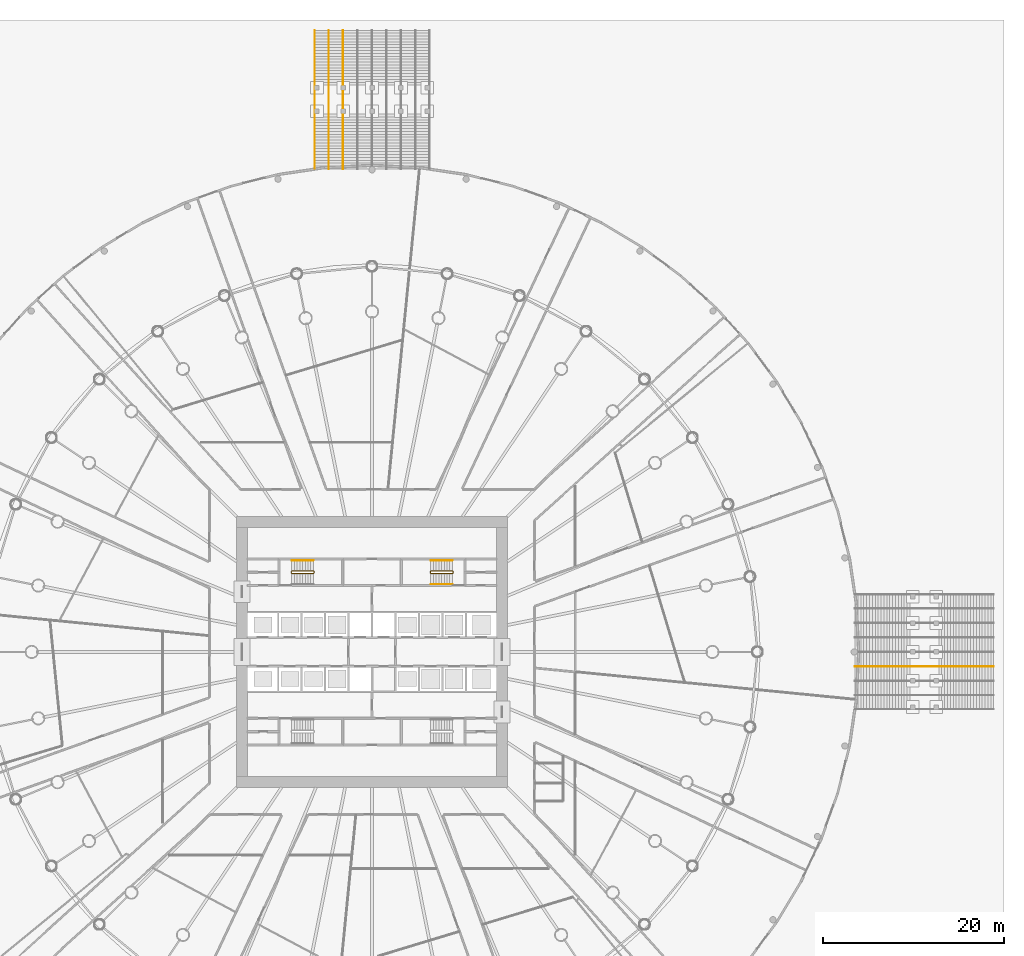
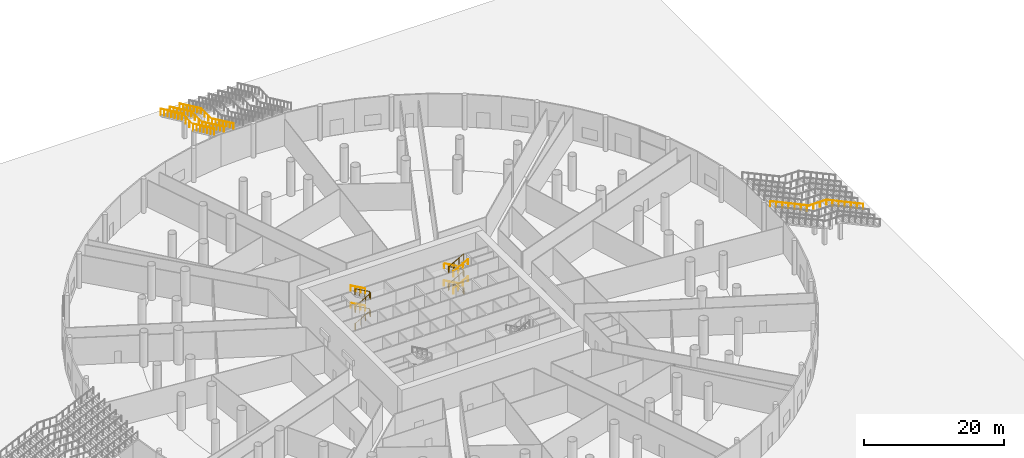
# One storey, part 30 of 33: 12 railings.
"""IFC4 building model written with IfcOpenShell, lengths in metres."""

from ifc_helpers import new_model, si_unit, direction, frame, origin, origin_2d, place, context, subcontext, project, spatial, circle, extrude, material, type_object, element, save


model = new_model("IFC4")

# Units and contexts
model_context = context("Model", 3, precision=1e-05, world=origin(), true_north=direction((0.0, 1.0)))
body_context = subcontext(model_context, "Body", "Model", "MODEL_VIEW")
ifc_project = project(units=[si_unit("LENGTHUNIT", "METRE"), si_unit("AREAUNIT", "SQUARE_METRE"), si_unit("VOLUMEUNIT", "CUBIC_METRE"), si_unit("PLANEANGLEUNIT", "RADIAN"), si_unit("MASSUNIT", "GRAM", prefix="KILO")], contexts=[model_context])

# Site, building, storey
site_placement = place(None, origin())
site = spatial("IfcSite", under=ifc_project, at=site_placement, CompositionType="ELEMENT")
building_placement = place(site_placement, origin())
building = spatial("IfcBuilding", under=site, at=building_placement, Name="Corvane Civic Tower", CompositionType="ELEMENT")
storey_placement = place(building_placement, origin())
storey = spatial("IfcBuildingStorey", under=building, at=storey_placement, Name="G", CompositionType="ELEMENT", Elevation=0.0)

# Railings
ifc_material_1 = material(Name="Steel ASTM A572 Gr 50", Category="steel")
railing_type_1 = type_object("IfcRailingType", Name="PODIUM-RL-GUARD-1100", PredefinedType="GUARDRAIL", material=ifc_material_1)
railing_1_placement = place(storey_placement, frame((-6.35009765625, 68.860107421875, 0.14990234375)))
element("IfcRailing", 1, at=railing_1_placement, inside=storey, type_object=railing_type_1, Name="North stair right guard", PredefinedType="GUARDRAIL", context=body_context, shape_type="SweptSolid", body=[
    extrude(circle(Radius=0.02392578125, at=origin_2d()), frame((0.0, 0.0, 1.076171875), z_axis=(0.0, -0.905455442782, 0.424441328262), x_axis=(1.0, 0.0, 0.0)), (0.0, 0.0, 1.0), 6.71484375),
    extrude(circle(Radius=0.02392578125, at=origin_2d()), frame((0.0, -6.080078125, 3.92626953125), z_axis=(0.0, -1.0, 0.0), x_axis=(1.0, 0.0, 0.0)), (0.0, 0.0, 1.0), 3.199951171875),
    extrude(circle(Radius=0.02392578125, at=origin_2d()), frame((0.0, -9.280029296875, 3.92626953125), z_axis=(0.0, 0.0, 1.0), x_axis=(1.0, 0.0, 0.0)), (0.0, 0.0, 1.0), 0.14990234375),
    extrude(circle(Radius=0.02392578125, at=origin_2d()), frame((0.0, -9.280029296875, 4.076171875), z_axis=(0.0, -0.905454092966, 0.424444207796), x_axis=(1.0, 0.0, 0.0)), (0.0, 0.0, 1.0), 6.65966796875),
    extrude(circle(Radius=0.02099609375, at=origin_2d()), origin(), (0.0, 0.0, 1.0), 1.052001953125),
    extrude(circle(Radius=0.02099609375, at=origin_2d()), frame((0.0, -1.013427734375, 0.47509765625)), (0.0, 0.0, 1.0), 1.052001953125),
    extrude(circle(Radius=0.02099609375, at=origin_2d()), frame((0.0, -2.026611328125, 0.949951171875)), (0.0, 0.0, 1.0), 1.052001953125),
    extrude(circle(Radius=0.02099609375, at=origin_2d()), frame((0.0, -3.0400390625, 1.425048828125)), (0.0, 0.0, 1.0), 1.052001953125),
    extrude(circle(Radius=0.02099609375, at=origin_2d()), frame((0.0, -4.053466796875, 1.900146484375)), (0.0, 0.0, 1.0), 1.052001953125),
    extrude(circle(Radius=0.02099609375, at=origin_2d()), frame((0.0, -5.066650390625, 2.375)), (0.0, 0.0, 1.0), 1.052001953125),
    extrude(circle(Radius=0.02099609375, at=origin_2d()), frame((0.0, -6.080078125, 2.85009765625)), (0.0, 0.0, 1.0), 1.052001953125),
    extrude(circle(Radius=0.02099609375, at=origin_2d()), frame((0.0, -7.146728515625, 2.85009765625)), (0.0, 0.0, 1.0), 1.052001953125),
    extrude(circle(Radius=0.02099609375, at=origin_2d()), frame((0.0, -8.21337890625, 2.85009765625)), (0.0, 0.0, 1.0), 1.052001953125),
    extrude(circle(Radius=0.02099609375, at=origin_2d()), frame((0.0, -9.280029296875, 2.85009765625)), (0.0, 0.0, 1.0), 1.052001953125),
    extrude(circle(Radius=0.02099609375, at=origin_2d()), frame((0.0, -9.280029296875, 3.0)), (0.0, 0.0, 1.0), 1.052001953125),
    extrude(circle(Radius=0.02099609375, at=origin_2d()), frame((0.0, -10.28515625, 3.47119140625)), (0.0, 0.0, 1.0), 1.052001953125),
    extrude(circle(Radius=0.02099609375, at=origin_2d()), frame((0.0, -11.2900390625, 3.942138671875)), (0.0, 0.0, 1.0), 1.052001953125),
    extrude(circle(Radius=0.02099609375, at=origin_2d()), frame((0.0, -12.294921875, 4.413330078125)), (0.0, 0.0, 1.0), 1.052001953125),
    extrude(circle(Radius=0.02099609375, at=origin_2d()), frame((0.0, -13.300048828125, 4.884521484375)), (0.0, 0.0, 1.0), 1.052001953125),
    extrude(circle(Radius=0.02099609375, at=origin_2d()), frame((0.0, -14.30517578125, 5.35546875)), (0.0, 0.0, 1.0), 1.052001953125),
    extrude(circle(Radius=0.02099609375, at=origin_2d()), frame((0.0, -15.31005859375, 5.82666015625)), (0.0, 0.0, 1.0), 1.052001953125),
])
ifc_material_2 = material(Name="Steel ASTM A572 Gr 50", Category="steel")
railing_type_2 = type_object("IfcRailingType", Name="PODIUM-RL-HANDRAIL-900", PredefinedType="HANDRAIL", material=ifc_material_2)
railing_2_placement = place(storey_placement, frame((-3.199951171875, 68.860107421875, 0.14990234375)))
element("IfcRailing", 2, at=railing_2_placement, inside=storey, type_object=railing_type_2, Name="North stair handrail 6", PredefinedType="HANDRAIL", context=body_context, shape_type="SweptSolid", body=[
    extrude(circle(Radius=0.02392578125, at=origin_2d()), frame((0.0, 0.0, 0.8759765625), z_axis=(0.0, -0.905455442782, 0.424441328262), x_axis=(1.0, 0.0, 0.0)), (0.0, 0.0, 1.0), 6.71484375),
    extrude(circle(Radius=0.02392578125, at=origin_2d()), frame((0.0, -6.080078125, 3.72607421875), z_axis=(0.0, -1.0, 0.0), x_axis=(1.0, 0.0, 0.0)), (0.0, 0.0, 1.0), 3.199951171875),
    extrude(circle(Radius=0.02392578125, at=origin_2d()), frame((0.0, -9.280029296875, 3.72607421875), z_axis=(0.0, 0.0, 1.0), x_axis=(1.0, 0.0, 0.0)), (0.0, 0.0, 1.0), 0.14990234375),
    extrude(circle(Radius=0.02392578125, at=origin_2d()), frame((0.0, -9.280029296875, 3.8759765625), z_axis=(0.0, -0.905455442782, 0.424441328262), x_axis=(1.0, 0.0, 0.0)), (0.0, 0.0, 1.0), 6.71484375),
    extrude(circle(Radius=0.02099609375, at=origin_2d()), origin(), (0.0, 0.0, 1.0), 0.851806640625),
    extrude(circle(Radius=0.02099609375, at=origin_2d()), frame((0.0, -1.013427734375, 0.47509765625)), (0.0, 0.0, 1.0), 0.851806640625),
    extrude(circle(Radius=0.02099609375, at=origin_2d()), frame((0.0, -2.026611328125, 0.949951171875)), (0.0, 0.0, 1.0), 0.851806640625),
    extrude(circle(Radius=0.02099609375, at=origin_2d()), frame((0.0, -3.0400390625, 1.425048828125)), (0.0, 0.0, 1.0), 0.851806640625),
    extrude(circle(Radius=0.02099609375, at=origin_2d()), frame((0.0, -4.053466796875, 1.900146484375)), (0.0, 0.0, 1.0), 0.851806640625),
    extrude(circle(Radius=0.02099609375, at=origin_2d()), frame((0.0, -5.066650390625, 2.375)), (0.0, 0.0, 1.0), 0.851806640625),
    extrude(circle(Radius=0.02099609375, at=origin_2d()), frame((0.0, -6.080078125, 2.85009765625)), (0.0, 0.0, 1.0), 0.851806640625),
    extrude(circle(Radius=0.02099609375, at=origin_2d()), frame((0.0, -7.146728515625, 2.85009765625)), (0.0, 0.0, 1.0), 0.851806640625),
    extrude(circle(Radius=0.02099609375, at=origin_2d()), frame((0.0, -8.21337890625, 2.85009765625)), (0.0, 0.0, 1.0), 0.851806640625),
    extrude(circle(Radius=0.02099609375, at=origin_2d()), frame((0.0, -9.280029296875, 2.85009765625)), (0.0, 0.0, 1.0), 0.851806640625),
    extrude(circle(Radius=0.02099609375, at=origin_2d()), frame((0.0, -9.280029296875, 3.0)), (0.0, 0.0, 1.0), 0.851806640625),
    extrude(circle(Radius=0.02099609375, at=origin_2d()), frame((0.0, -10.29345703125, 3.47509765625)), (0.0, 0.0, 1.0), 0.851806640625),
    extrude(circle(Radius=0.02099609375, at=origin_2d()), frame((0.0, -11.306640625, 3.949951171875)), (0.0, 0.0, 1.0), 0.851806640625),
    extrude(circle(Radius=0.02099609375, at=origin_2d()), frame((0.0, -12.320068359375, 4.425048828125)), (0.0, 0.0, 1.0), 0.851806640625),
    extrude(circle(Radius=0.02099609375, at=origin_2d()), frame((0.0, -13.33349609375, 4.900146484375)), (0.0, 0.0, 1.0), 0.851806640625),
    extrude(circle(Radius=0.02099609375, at=origin_2d()), frame((0.0, -14.3466796875, 5.375)), (0.0, 0.0, 1.0), 0.851806640625),
    extrude(circle(Radius=0.02099609375, at=origin_2d()), frame((0.0, -15.360107421875, 5.85009765625)), (0.0, 0.0, 1.0), 0.851806640625),
])
railing_3_placement = place(storey_placement, frame((-4.800048828125, 68.860107421875, 0.14990234375)))
element("IfcRailing", 3, at=railing_3_placement, inside=storey, type_object=railing_type_2, Name="North stair handrail 7", PredefinedType="HANDRAIL", context=body_context, shape_type="SweptSolid", body=[
    extrude(circle(Radius=0.02392578125, at=origin_2d()), frame((0.0, 0.0, 0.8759765625), z_axis=(0.0, -0.905455442782, 0.424441328262), x_axis=(1.0, 0.0, 0.0)), (0.0, 0.0, 1.0), 6.71484375),
    extrude(circle(Radius=0.02392578125, at=origin_2d()), frame((0.0, -6.080078125, 3.72607421875), z_axis=(0.0, -1.0, 0.0), x_axis=(1.0, 0.0, 0.0)), (0.0, 0.0, 1.0), 3.199951171875),
    extrude(circle(Radius=0.02392578125, at=origin_2d()), frame((0.0, -9.280029296875, 3.72607421875), z_axis=(0.0, 0.0, 1.0), x_axis=(1.0, 0.0, 0.0)), (0.0, 0.0, 1.0), 0.14990234375),
    extrude(circle(Radius=0.02392578125, at=origin_2d()), frame((0.0, -9.280029296875, 3.8759765625), z_axis=(0.0, -0.905455442782, 0.424441328262), x_axis=(1.0, 0.0, 0.0)), (0.0, 0.0, 1.0), 6.71484375),
    extrude(circle(Radius=0.02099609375, at=origin_2d()), origin(), (0.0, 0.0, 1.0), 0.851806640625),
    extrude(circle(Radius=0.02099609375, at=origin_2d()), frame((0.0, -1.013427734375, 0.47509765625)), (0.0, 0.0, 1.0), 0.851806640625),
    extrude(circle(Radius=0.02099609375, at=origin_2d()), frame((0.0, -2.026611328125, 0.949951171875)), (0.0, 0.0, 1.0), 0.851806640625),
    extrude(circle(Radius=0.02099609375, at=origin_2d()), frame((0.0, -3.0400390625, 1.425048828125)), (0.0, 0.0, 1.0), 0.851806640625),
    extrude(circle(Radius=0.02099609375, at=origin_2d()), frame((0.0, -4.053466796875, 1.900146484375)), (0.0, 0.0, 1.0), 0.851806640625),
    extrude(circle(Radius=0.02099609375, at=origin_2d()), frame((0.0, -5.066650390625, 2.375)), (0.0, 0.0, 1.0), 0.851806640625),
    extrude(circle(Radius=0.02099609375, at=origin_2d()), frame((0.0, -6.080078125, 2.85009765625)), (0.0, 0.0, 1.0), 0.851806640625),
    extrude(circle(Radius=0.02099609375, at=origin_2d()), frame((0.0, -7.146728515625, 2.85009765625)), (0.0, 0.0, 1.0), 0.851806640625),
    extrude(circle(Radius=0.02099609375, at=origin_2d()), frame((0.0, -8.21337890625, 2.85009765625)), (0.0, 0.0, 1.0), 0.851806640625),
    extrude(circle(Radius=0.02099609375, at=origin_2d()), frame((0.0, -9.280029296875, 2.85009765625)), (0.0, 0.0, 1.0), 0.851806640625),
    extrude(circle(Radius=0.02099609375, at=origin_2d()), frame((0.0, -9.280029296875, 3.0)), (0.0, 0.0, 1.0), 0.851806640625),
    extrude(circle(Radius=0.02099609375, at=origin_2d()), frame((0.0, -10.29345703125, 3.47509765625)), (0.0, 0.0, 1.0), 0.851806640625),
    extrude(circle(Radius=0.02099609375, at=origin_2d()), frame((0.0, -11.306640625, 3.949951171875)), (0.0, 0.0, 1.0), 0.851806640625),
    extrude(circle(Radius=0.02099609375, at=origin_2d()), frame((0.0, -12.320068359375, 4.425048828125)), (0.0, 0.0, 1.0), 0.851806640625),
    extrude(circle(Radius=0.02099609375, at=origin_2d()), frame((0.0, -13.33349609375, 4.900146484375)), (0.0, 0.0, 1.0), 0.851806640625),
    extrude(circle(Radius=0.02099609375, at=origin_2d()), frame((0.0, -14.3466796875, 5.375)), (0.0, 0.0, 1.0), 0.851806640625),
    extrude(circle(Radius=0.02099609375, at=origin_2d()), frame((0.0, -15.360107421875, 5.85009765625)), (0.0, 0.0, 1.0), 0.851806640625),
])
railing_4_placement = place(storey_placement, frame((68.860107421875, -1.60009765625, 0.14990234375)))
element("IfcRailing", 4, at=railing_4_placement, inside=storey, type_object=railing_type_2, Name="East stair handrail 3", PredefinedType="HANDRAIL", context=body_context, shape_type="SweptSolid", body=[
    extrude(circle(Radius=0.02392578125, at=origin_2d()), frame((0.0, 0.0, 0.8759765625), z_axis=(-0.905455442782, 0.0, 0.424441328262), x_axis=(0.0, -1.0, 0.0)), (0.0, 0.0, 1.0), 6.71484375),
    extrude(circle(Radius=0.02392578125, at=origin_2d()), frame((-6.080078125, 0.0, 3.72607421875), z_axis=(-1.0, 0.0, 0.0), x_axis=(0.0, -1.0, 0.0)), (0.0, 0.0, 1.0), 3.199951171875),
    extrude(circle(Radius=0.02392578125, at=origin_2d()), frame((-9.280029296875, 0.0, 3.72607421875), z_axis=(0.0, 0.0, 1.0), x_axis=(1.0, 0.0, 0.0)), (0.0, 0.0, 1.0), 0.14990234375),
    extrude(circle(Radius=0.02392578125, at=origin_2d()), frame((-9.280029296875, 0.0, 3.8759765625), z_axis=(-0.905455442782, 0.0, 0.424441328262), x_axis=(0.0, -1.0, 0.0)), (0.0, 0.0, 1.0), 6.71484375),
    extrude(circle(Radius=0.02099609375, at=origin_2d()), origin(), (0.0, 0.0, 1.0), 0.851806640625),
    extrude(circle(Radius=0.02099609375, at=origin_2d()), frame((-1.013427734375, 0.0, 0.47509765625)), (0.0, 0.0, 1.0), 0.851806640625),
    extrude(circle(Radius=0.02099609375, at=origin_2d()), frame((-2.026611328125, 0.0, 0.949951171875)), (0.0, 0.0, 1.0), 0.851806640625),
    extrude(circle(Radius=0.02099609375, at=origin_2d()), frame((-3.0400390625, 0.0, 1.425048828125)), (0.0, 0.0, 1.0), 0.851806640625),
    extrude(circle(Radius=0.02099609375, at=origin_2d()), frame((-4.053466796875, 0.0, 1.900146484375)), (0.0, 0.0, 1.0), 0.851806640625),
    extrude(circle(Radius=0.02099609375, at=origin_2d()), frame((-5.066650390625, 0.0, 2.375)), (0.0, 0.0, 1.0), 0.851806640625),
    extrude(circle(Radius=0.02099609375, at=origin_2d()), frame((-6.080078125, 0.0, 2.85009765625)), (0.0, 0.0, 1.0), 0.851806640625),
    extrude(circle(Radius=0.02099609375, at=origin_2d()), frame((-7.146728515625, 0.0, 2.85009765625)), (0.0, 0.0, 1.0), 0.851806640625),
    extrude(circle(Radius=0.02099609375, at=origin_2d()), frame((-8.21337890625, 0.0, 2.85009765625)), (0.0, 0.0, 1.0), 0.851806640625),
    extrude(circle(Radius=0.02099609375, at=origin_2d()), frame((-9.280029296875, 0.0, 2.85009765625)), (0.0, 0.0, 1.0), 0.851806640625),
    extrude(circle(Radius=0.02099609375, at=origin_2d()), frame((-9.280029296875, 0.0, 3.0)), (0.0, 0.0, 1.0), 0.851806640625),
    extrude(circle(Radius=0.02099609375, at=origin_2d()), frame((-10.29345703125, 0.0, 3.47509765625)), (0.0, 0.0, 1.0), 0.851806640625),
    extrude(circle(Radius=0.02099609375, at=origin_2d()), frame((-11.306640625, 0.0, 3.949951171875)), (0.0, 0.0, 1.0), 0.851806640625),
    extrude(circle(Radius=0.02099609375, at=origin_2d()), frame((-12.320068359375, 0.0, 4.425048828125)), (0.0, 0.0, 1.0), 0.851806640625),
    extrude(circle(Radius=0.02099609375, at=origin_2d()), frame((-13.33349609375, 0.0, 4.900146484375)), (0.0, 0.0, 1.0), 0.851806640625),
    extrude(circle(Radius=0.02099609375, at=origin_2d()), frame((-14.3466796875, 0.0, 5.375)), (0.0, 0.0, 1.0), 0.851806640625),
    extrude(circle(Radius=0.02099609375, at=origin_2d()), frame((-15.360107421875, 0.0, 5.85009765625)), (0.0, 0.0, 1.0), 0.851806640625),
])
ifc_material_3 = material(Name="Steel ASTM A572 Gr 50", Category="steel")
railing_type_3 = type_object("IfcRailingType", Name="ST-GUARD-1100", PredefinedType="GUARDRAIL", material=ifc_material_3)
railing_5_placement = place(storey_placement, frame((8.949951171875, 8.75, 0.0)))
element("IfcRailing", 5, at=railing_5_placement, inside=storey, type_object=railing_type_3, Name="G ST1 stair guard 1", PredefinedType="GUARDRAIL", context=body_context, shape_type="SweptSolid", body=[
    extrude(circle(Radius=0.02392578125, at=origin_2d()), frame((0.0, 0.0, 1.076171875), z_axis=(0.0, 1.0, 0.0), x_axis=(-1.0, 0.0, 0.0)), (0.0, 0.0, 1.0), 0.14990234375),
    extrude(circle(Radius=0.02392578125, at=origin_2d()), frame((0.0, 0.14990234375, 1.076171875), z_axis=(-0.27628659633, 0.27628659633, 0.920506074601), x_axis=(-0.707106781187, -0.707106781187, 0.0)), (0.0, 0.0, 1.0), 0.18115234375),
    extrude(circle(Radius=0.02392578125, at=origin_2d()), frame((-0.050048828125, 0.199951171875, 1.24267578125), z_axis=(-0.874161470802, 0.0, 0.485635380677), x_axis=(0.0, -1.0, 0.0)), (0.0, 0.0, 1.0), 2.745361328125),
    extrude(circle(Radius=0.02392578125, at=origin_2d()), frame((-2.449951171875, 0.199951171875, 2.576171875), z_axis=(-0.707106781187, -0.707106781187, 0.0), x_axis=(0.707106781187, -0.707106781187, 0.0)), (0.0, 0.0, 1.0), 0.07080078125),
    extrude(circle(Radius=0.02392578125, at=origin_2d()), frame((-2.5, 0.14990234375, 2.576171875), z_axis=(0.0, -1.0, 0.0), x_axis=(1.0, 0.0, 0.0)), (0.0, 0.0, 1.0), 0.14990234375),
    extrude(circle(Radius=0.02392578125, at=origin_2d()), frame((-2.5, 0.0, 2.576171875), z_axis=(0.27628659633, -0.27628659633, 0.920506074601), x_axis=(0.707106781187, 0.707106781187, 0.0)), (0.0, 0.0, 1.0), 0.18115234375),
    extrude(circle(Radius=0.02392578125, at=origin_2d()), frame((-2.449951171875, -0.050048828125, 2.74267578125), z_axis=(0.874161470802, 0.0, 0.485635380677), x_axis=(0.0, 1.0, 0.0)), (0.0, 0.0, 1.0), 2.745361328125),
    extrude(circle(Radius=0.02392578125, at=origin_2d()), frame((-0.050048828125, -0.050048828125, 4.076171875), z_axis=(0.707106781187, 0.707106781187, 0.0), x_axis=(-0.707106781187, 0.707106781187, 0.0)), (0.0, 0.0, 1.0), 0.07080078125),
    extrude(circle(Radius=0.02392578125, at=origin_2d()), frame((0.0, 0.0, 4.076171875), z_axis=(0.0, 1.0, 0.0), x_axis=(-1.0, 0.0, 0.0)), (0.0, 0.0, 1.0), 0.14990234375),
    extrude(circle(Radius=0.02392578125, at=origin_2d()), frame((0.0, 0.14990234375, 4.076171875), z_axis=(-0.27628659633, 0.27628659633, 0.920506074601), x_axis=(-0.707106781187, -0.707106781187, 0.0)), (0.0, 0.0, 1.0), 0.18115234375),
    extrude(circle(Radius=0.02392578125, at=origin_2d()), frame((-0.050048828125, 0.199951171875, 4.24267578125), z_axis=(-0.874161470802, 0.0, 0.485635380677), x_axis=(0.0, -1.0, 0.0)), (0.0, 0.0, 1.0), 2.745361328125),
    extrude(circle(Radius=0.02392578125, at=origin_2d()), frame((-2.449951171875, 0.199951171875, 5.576171875), z_axis=(-0.707106781187, -0.707106781187, 0.0), x_axis=(0.707106781187, -0.707106781187, 0.0)), (0.0, 0.0, 1.0), 0.07080078125),
    extrude(circle(Radius=0.02392578125, at=origin_2d()), frame((-2.5, 0.14990234375, 5.576171875), z_axis=(0.0, -1.0, 0.0), x_axis=(1.0, 0.0, 0.0)), (0.0, 0.0, 1.0), 0.14990234375),
    extrude(circle(Radius=0.02392578125, at=origin_2d()), frame((-2.5, 0.0, 5.576171875), z_axis=(0.27628659633, -0.27628659633, 0.920506074601), x_axis=(0.707106781187, 0.707106781187, 0.0)), (0.0, 0.0, 1.0), 0.18115234375),
    extrude(circle(Radius=0.02392578125, at=origin_2d()), frame((-2.449951171875, -0.050048828125, 5.74267578125), z_axis=(0.874161470802, 0.0, 0.485635380677), x_axis=(0.0, 1.0, 0.0)), (0.0, 0.0, 1.0), 2.745361328125),
    extrude(circle(Radius=0.02099609375, at=origin_2d()), origin(), (0.0, 0.0, 1.0), 1.052001953125),
    extrude(circle(Radius=0.02099609375, at=origin_2d()), frame((0.0, 0.14990234375, 0.0)), (0.0, 0.0, 1.0), 1.052001953125),
    extrude(circle(Radius=0.02099609375, at=origin_2d()), frame((-0.050048828125, 0.199951171875, 0.166748046875)), (0.0, 0.0, 1.0), 1.052001953125),
    extrude(circle(Radius=0.02099609375, at=origin_2d()), frame((-0.85009765625, 0.199951171875, 0.611083984375)), (0.0, 0.0, 1.0), 1.052001953125),
    extrude(circle(Radius=0.02099609375, at=origin_2d()), frame((-1.64990234375, 0.199951171875, 1.0556640625)), (0.0, 0.0, 1.0), 1.052001953125),
    extrude(circle(Radius=0.02099609375, at=origin_2d()), frame((-2.449951171875, 0.199951171875, 1.5)), (0.0, 0.0, 1.0), 1.052001953125),
    extrude(circle(Radius=0.02099609375, at=origin_2d()), frame((-2.5, 0.14990234375, 1.5)), (0.0, 0.0, 1.0), 1.052001953125),
    extrude(circle(Radius=0.02099609375, at=origin_2d()), frame((-2.5, 0.0, 1.5)), (0.0, 0.0, 1.0), 1.052001953125),
    extrude(circle(Radius=0.02099609375, at=origin_2d()), frame((-2.449951171875, -0.050048828125, 1.666748046875)), (0.0, 0.0, 1.0), 1.052001953125),
    extrude(circle(Radius=0.02099609375, at=origin_2d()), frame((-1.64990234375, -0.050048828125, 2.111083984375)), (0.0, 0.0, 1.0), 1.052001953125),
    extrude(circle(Radius=0.02099609375, at=origin_2d()), frame((-0.85009765625, -0.050048828125, 2.5556640625)), (0.0, 0.0, 1.0), 1.052001953125),
    extrude(circle(Radius=0.02099609375, at=origin_2d()), frame((-0.050048828125, -0.050048828125, 3.0)), (0.0, 0.0, 1.0), 1.052001953125),
    extrude(circle(Radius=0.02099609375, at=origin_2d()), frame((0.0, 0.0, 3.0)), (0.0, 0.0, 1.0), 1.052001953125),
    extrude(circle(Radius=0.02099609375, at=origin_2d()), frame((0.0, 0.14990234375, 3.0)), (0.0, 0.0, 1.0), 1.052001953125),
    extrude(circle(Radius=0.02099609375, at=origin_2d()), frame((-0.050048828125, 0.199951171875, 3.166748046875)), (0.0, 0.0, 1.0), 1.052001953125),
    extrude(circle(Radius=0.02099609375, at=origin_2d()), frame((-0.85009765625, 0.199951171875, 3.611083984375)), (0.0, 0.0, 1.0), 1.052001953125),
    extrude(circle(Radius=0.02099609375, at=origin_2d()), frame((-1.64990234375, 0.199951171875, 4.0556640625)), (0.0, 0.0, 1.0), 1.052001953125),
    extrude(circle(Radius=0.02099609375, at=origin_2d()), frame((-2.449951171875, 0.199951171875, 4.5)), (0.0, 0.0, 1.0), 1.052001953125),
    extrude(circle(Radius=0.02099609375, at=origin_2d()), frame((-2.5, 0.14990234375, 4.5)), (0.0, 0.0, 1.0), 1.052001953125),
    extrude(circle(Radius=0.02099609375, at=origin_2d()), frame((-2.5, 0.0, 4.5)), (0.0, 0.0, 1.0), 1.052001953125),
    extrude(circle(Radius=0.02099609375, at=origin_2d()), frame((-2.449951171875, -0.050048828125, 4.666748046875)), (0.0, 0.0, 1.0), 1.052001953125),
    extrude(circle(Radius=0.02099609375, at=origin_2d()), frame((-1.64990234375, -0.050048828125, 5.111083984375)), (0.0, 0.0, 1.0), 1.052001953125),
    extrude(circle(Radius=0.02099609375, at=origin_2d()), frame((-0.85009765625, -0.050048828125, 5.5556640625)), (0.0, 0.0, 1.0), 1.052001953125),
    extrude(circle(Radius=0.02099609375, at=origin_2d()), frame((-0.050048828125, -0.050048828125, 6.0)), (0.0, 0.0, 1.0), 1.052001953125),
])
railing_6_placement = place(storey_placement, frame((-8.949951171875, 8.89990234375, 0.0)))
element("IfcRailing", 6, at=railing_6_placement, inside=storey, type_object=railing_type_3, Name="G ST4 stair guard 1", PredefinedType="GUARDRAIL", context=body_context, shape_type="SweptSolid", body=[
    extrude(circle(Radius=0.02392578125, at=origin_2d()), frame((0.0, 0.0, 1.076171875), z_axis=(0.0, -1.0, 0.0), x_axis=(1.0, 0.0, 0.0)), (0.0, 0.0, 1.0), 0.14990234375),
    extrude(circle(Radius=0.02392578125, at=origin_2d()), frame((0.0, -0.14990234375, 1.076171875), z_axis=(0.27628659633, -0.27628659633, 0.920506074601), x_axis=(0.707106781187, 0.707106781187, 0.0)), (0.0, 0.0, 1.0), 0.18115234375),
    extrude(circle(Radius=0.02392578125, at=origin_2d()), frame((0.050048828125, -0.199951171875, 1.24267578125), z_axis=(0.874161470802, 0.0, 0.485635380677), x_axis=(0.0, 1.0, 0.0)), (0.0, 0.0, 1.0), 2.745361328125),
    extrude(circle(Radius=0.02392578125, at=origin_2d()), frame((2.449951171875, -0.199951171875, 2.576171875), z_axis=(0.707106781187, 0.707106781187, 0.0), x_axis=(-0.707106781187, 0.707106781187, 0.0)), (0.0, 0.0, 1.0), 0.07080078125),
    extrude(circle(Radius=0.02392578125, at=origin_2d()), frame((2.5, -0.14990234375, 2.576171875), z_axis=(0.0, 1.0, 0.0), x_axis=(-1.0, 0.0, 0.0)), (0.0, 0.0, 1.0), 0.14990234375),
    extrude(circle(Radius=0.02392578125, at=origin_2d()), frame((2.5, 0.0, 2.576171875), z_axis=(-0.27628659633, 0.27628659633, 0.920506074601), x_axis=(-0.707106781187, -0.707106781187, 0.0)), (0.0, 0.0, 1.0), 0.18115234375),
    extrude(circle(Radius=0.02392578125, at=origin_2d()), frame((2.449951171875, 0.050048828125, 2.74267578125), z_axis=(-0.874161470802, 0.0, 0.485635380677), x_axis=(0.0, -1.0, 0.0)), (0.0, 0.0, 1.0), 2.745361328125),
    extrude(circle(Radius=0.02392578125, at=origin_2d()), frame((0.050048828125, 0.050048828125, 4.076171875), z_axis=(-0.707106781187, -0.707106781187, 0.0), x_axis=(0.707106781187, -0.707106781187, 0.0)), (0.0, 0.0, 1.0), 0.07080078125),
    extrude(circle(Radius=0.02392578125, at=origin_2d()), frame((0.0, 0.0, 4.076171875), z_axis=(0.0, -1.0, 0.0), x_axis=(1.0, 0.0, 0.0)), (0.0, 0.0, 1.0), 0.14990234375),
    extrude(circle(Radius=0.02392578125, at=origin_2d()), frame((0.0, -0.14990234375, 4.076171875), z_axis=(0.27628659633, -0.27628659633, 0.920506074601), x_axis=(0.707106781187, 0.707106781187, 0.0)), (0.0, 0.0, 1.0), 0.18115234375),
    extrude(circle(Radius=0.02392578125, at=origin_2d()), frame((0.050048828125, -0.199951171875, 4.24267578125), z_axis=(0.874161470802, 0.0, 0.485635380677), x_axis=(0.0, 1.0, 0.0)), (0.0, 0.0, 1.0), 2.745361328125),
    extrude(circle(Radius=0.02392578125, at=origin_2d()), frame((2.449951171875, -0.199951171875, 5.576171875), z_axis=(0.707106781187, 0.707106781187, 0.0), x_axis=(-0.707106781187, 0.707106781187, 0.0)), (0.0, 0.0, 1.0), 0.07080078125),
    extrude(circle(Radius=0.02392578125, at=origin_2d()), frame((2.5, -0.14990234375, 5.576171875), z_axis=(0.0, 1.0, 0.0), x_axis=(-1.0, 0.0, 0.0)), (0.0, 0.0, 1.0), 0.14990234375),
    extrude(circle(Radius=0.02392578125, at=origin_2d()), frame((2.5, 0.0, 5.576171875), z_axis=(-0.27628659633, 0.27628659633, 0.920506074601), x_axis=(-0.707106781187, -0.707106781187, 0.0)), (0.0, 0.0, 1.0), 0.18115234375),
    extrude(circle(Radius=0.02392578125, at=origin_2d()), frame((2.449951171875, 0.050048828125, 5.74267578125), z_axis=(-0.874161470802, 0.0, 0.485635380677), x_axis=(0.0, -1.0, 0.0)), (0.0, 0.0, 1.0), 2.745361328125),
    extrude(circle(Radius=0.02099609375, at=origin_2d()), origin(), (0.0, 0.0, 1.0), 1.052001953125),
    extrude(circle(Radius=0.02099609375, at=origin_2d()), frame((0.0, -0.14990234375, 0.0)), (0.0, 0.0, 1.0), 1.052001953125),
    extrude(circle(Radius=0.02099609375, at=origin_2d()), frame((0.050048828125, -0.199951171875, 0.166748046875)), (0.0, 0.0, 1.0), 1.052001953125),
    extrude(circle(Radius=0.02099609375, at=origin_2d()), frame((0.85009765625, -0.199951171875, 0.611083984375)), (0.0, 0.0, 1.0), 1.052001953125),
    extrude(circle(Radius=0.02099609375, at=origin_2d()), frame((1.64990234375, -0.199951171875, 1.0556640625)), (0.0, 0.0, 1.0), 1.052001953125),
    extrude(circle(Radius=0.02099609375, at=origin_2d()), frame((2.449951171875, -0.199951171875, 1.5)), (0.0, 0.0, 1.0), 1.052001953125),
    extrude(circle(Radius=0.02099609375, at=origin_2d()), frame((2.5, -0.14990234375, 1.5)), (0.0, 0.0, 1.0), 1.052001953125),
    extrude(circle(Radius=0.02099609375, at=origin_2d()), frame((2.5, 0.0, 1.5)), (0.0, 0.0, 1.0), 1.052001953125),
    extrude(circle(Radius=0.02099609375, at=origin_2d()), frame((2.449951171875, 0.050048828125, 1.666748046875)), (0.0, 0.0, 1.0), 1.052001953125),
    extrude(circle(Radius=0.02099609375, at=origin_2d()), frame((1.64990234375, 0.050048828125, 2.111083984375)), (0.0, 0.0, 1.0), 1.052001953125),
    extrude(circle(Radius=0.02099609375, at=origin_2d()), frame((0.85009765625, 0.050048828125, 2.5556640625)), (0.0, 0.0, 1.0), 1.052001953125),
    extrude(circle(Radius=0.02099609375, at=origin_2d()), frame((0.050048828125, 0.050048828125, 3.0)), (0.0, 0.0, 1.0), 1.052001953125),
    extrude(circle(Radius=0.02099609375, at=origin_2d()), frame((0.0, 0.0, 3.0)), (0.0, 0.0, 1.0), 1.052001953125),
    extrude(circle(Radius=0.02099609375, at=origin_2d()), frame((0.0, -0.14990234375, 3.0)), (0.0, 0.0, 1.0), 1.052001953125),
    extrude(circle(Radius=0.02099609375, at=origin_2d()), frame((0.050048828125, -0.199951171875, 3.166748046875)), (0.0, 0.0, 1.0), 1.052001953125),
    extrude(circle(Radius=0.02099609375, at=origin_2d()), frame((0.85009765625, -0.199951171875, 3.611083984375)), (0.0, 0.0, 1.0), 1.052001953125),
    extrude(circle(Radius=0.02099609375, at=origin_2d()), frame((1.64990234375, -0.199951171875, 4.0556640625)), (0.0, 0.0, 1.0), 1.052001953125),
    extrude(circle(Radius=0.02099609375, at=origin_2d()), frame((2.449951171875, -0.199951171875, 4.5)), (0.0, 0.0, 1.0), 1.052001953125),
    extrude(circle(Radius=0.02099609375, at=origin_2d()), frame((2.5, -0.14990234375, 4.5)), (0.0, 0.0, 1.0), 1.052001953125),
    extrude(circle(Radius=0.02099609375, at=origin_2d()), frame((2.5, 0.0, 4.5)), (0.0, 0.0, 1.0), 1.052001953125),
    extrude(circle(Radius=0.02099609375, at=origin_2d()), frame((2.449951171875, 0.050048828125, 4.666748046875)), (0.0, 0.0, 1.0), 1.052001953125),
    extrude(circle(Radius=0.02099609375, at=origin_2d()), frame((1.64990234375, 0.050048828125, 5.111083984375)), (0.0, 0.0, 1.0), 1.052001953125),
    extrude(circle(Radius=0.02099609375, at=origin_2d()), frame((0.85009765625, 0.050048828125, 5.5556640625)), (0.0, 0.0, 1.0), 1.052001953125),
    extrude(circle(Radius=0.02099609375, at=origin_2d()), frame((0.050048828125, 0.050048828125, 6.0)), (0.0, 0.0, 1.0), 1.052001953125),
])
ifc_material_4 = material(Name="Steel ASTM A572 Gr 50", Category="steel")
railing_type_4 = type_object("IfcRailingType", Name="ST-HANDRAIL-900", PredefinedType="HANDRAIL", material=ifc_material_4)
railing_7_placement = place(storey_placement, frame((8.89990234375, 10.14990234375, 0.166748046875)))
element("IfcRailing", 7, at=railing_7_placement, inside=storey, type_object=railing_type_4, Name="G ST1 stair handrail 1", PredefinedType="HANDRAIL", context=body_context, shape_type="SweptSolid", body=[
    extrude(circle(Radius=0.02392578125, at=origin_2d()), frame((0.0, 0.0, 0.8759765625), z_axis=(-0.874161470802, 0.0, 0.485635380677), x_axis=(0.0, -1.0, 0.0)), (0.0, 0.0, 1.0), 2.745361328125),
    extrude(circle(Radius=0.02099609375, at=origin_2d()), origin(), (0.0, 0.0, 1.0), 0.851806640625),
    extrude(circle(Radius=0.02099609375, at=origin_2d()), frame((-0.800048828125, 0.0, 0.4443359375)), (0.0, 0.0, 1.0), 0.851806640625),
    extrude(circle(Radius=0.02099609375, at=origin_2d()), frame((-1.599853515625, 0.0, 0.888916015625)), (0.0, 0.0, 1.0), 0.851806640625),
    extrude(circle(Radius=0.02099609375, at=origin_2d()), frame((-2.39990234375, 0.0, 1.333251953125)), (0.0, 0.0, 1.0), 0.851806640625),
])
railing_8_placement = place(storey_placement, frame((6.5, 7.5, 1.666748046875)))
element("IfcRailing", 8, at=railing_8_placement, inside=storey, type_object=railing_type_4, Name="G ST1 stair handrail 2", PredefinedType="HANDRAIL", context=body_context, shape_type="SweptSolid", body=[
    extrude(circle(Radius=0.02392578125, at=origin_2d()), frame((0.0, 0.0, 0.8759765625), z_axis=(0.874161470802, 0.0, 0.485635380677), x_axis=(0.0, 1.0, 0.0)), (0.0, 0.0, 1.0), 2.745361328125),
    extrude(circle(Radius=0.02099609375, at=origin_2d()), origin(), (0.0, 0.0, 1.0), 0.851806640625),
    extrude(circle(Radius=0.02099609375, at=origin_2d()), frame((0.800048828125, 0.0, 0.4443359375)), (0.0, 0.0, 1.0), 0.851806640625),
    extrude(circle(Radius=0.02099609375, at=origin_2d()), frame((1.599853515625, 0.0, 0.888916015625)), (0.0, 0.0, 1.0), 0.851806640625),
    extrude(circle(Radius=0.02099609375, at=origin_2d()), frame((2.39990234375, 0.0, 1.333251953125)), (0.0, 0.0, 1.0), 0.851806640625),
])
railing_9_placement = place(storey_placement, frame((8.89990234375, 10.14990234375, 3.166748046875)))
element("IfcRailing", 9, at=railing_9_placement, inside=storey, type_object=railing_type_4, Name="G ST1 stair handrail 3", PredefinedType="HANDRAIL", context=body_context, shape_type="SweptSolid", body=[
    extrude(circle(Radius=0.02392578125, at=origin_2d()), frame((0.0, 0.0, 0.8759765625), z_axis=(-0.874161470802, 0.0, 0.485635380677), x_axis=(0.0, -1.0, 0.0)), (0.0, 0.0, 1.0), 2.745361328125),
    extrude(circle(Radius=0.02099609375, at=origin_2d()), origin(), (0.0, 0.0, 1.0), 0.851806640625),
    extrude(circle(Radius=0.02099609375, at=origin_2d()), frame((-0.800048828125, 0.0, 0.4443359375)), (0.0, 0.0, 1.0), 0.851806640625),
    extrude(circle(Radius=0.02099609375, at=origin_2d()), frame((-1.599853515625, 0.0, 0.888916015625)), (0.0, 0.0, 1.0), 0.851806640625),
    extrude(circle(Radius=0.02099609375, at=origin_2d()), frame((-2.39990234375, 0.0, 1.333251953125)), (0.0, 0.0, 1.0), 0.851806640625),
])
railing_10_placement = place(storey_placement, frame((6.5, 7.5, 4.666748046875)))
element("IfcRailing", 10, at=railing_10_placement, inside=storey, type_object=railing_type_4, Name="G ST1 stair handrail 4", PredefinedType="HANDRAIL", context=body_context, shape_type="SweptSolid", body=[
    extrude(circle(Radius=0.02392578125, at=origin_2d()), frame((0.0, 0.0, 0.8759765625), z_axis=(0.874161470802, 0.0, 0.485635380677), x_axis=(0.0, 1.0, 0.0)), (0.0, 0.0, 1.0), 2.745361328125),
    extrude(circle(Radius=0.02099609375, at=origin_2d()), origin(), (0.0, 0.0, 1.0), 0.851806640625),
    extrude(circle(Radius=0.02099609375, at=origin_2d()), frame((0.800048828125, 0.0, 0.4443359375)), (0.0, 0.0, 1.0), 0.851806640625),
    extrude(circle(Radius=0.02099609375, at=origin_2d()), frame((1.599853515625, 0.0, 0.888916015625)), (0.0, 0.0, 1.0), 0.851806640625),
    extrude(circle(Radius=0.02099609375, at=origin_2d()), frame((2.39990234375, 0.0, 1.333251953125)), (0.0, 0.0, 1.0), 0.851806640625),
])
for number, where, name in (
    (11, (-6.5, 10.14990234375, 1.666748046875), "G ST4 stair handrail 2"),
    (12, (-6.5, 10.14990234375, 4.666748046875), "G ST4 stair handrail 4"),
):
    element("IfcRailing", number, at=place(storey_placement, frame(where)), inside=storey, type_object=railing_type_4, Name=name, PredefinedType="HANDRAIL", context=body_context, shape_type="SweptSolid", body=[
        extrude(circle(Radius=0.02392578125, at=origin_2d()), frame((0.0, 0.0, 0.8759765625), z_axis=(-0.874161470802, 0.0, 0.485635380677), x_axis=(0.0, -1.0, 0.0)), (0.0, 0.0, 1.0), 2.745361328125),
        extrude(circle(Radius=0.02099609375, at=origin_2d()), origin(), (0.0, 0.0, 1.0), 0.851806640625),
        extrude(circle(Radius=0.02099609375, at=origin_2d()), frame((-0.800048828125, 0.0, 0.4443359375)), (0.0, 0.0, 1.0), 0.851806640625),
        extrude(circle(Radius=0.02099609375, at=origin_2d()), frame((-1.599853515625, 0.0, 0.888916015625)), (0.0, 0.0, 1.0), 0.851806640625),
        extrude(circle(Radius=0.02099609375, at=origin_2d()), frame((-2.39990234375, 0.0, 1.333251953125)), (0.0, 0.0, 1.0), 0.851806640625),
    ])

save(model, "model.ifc")
